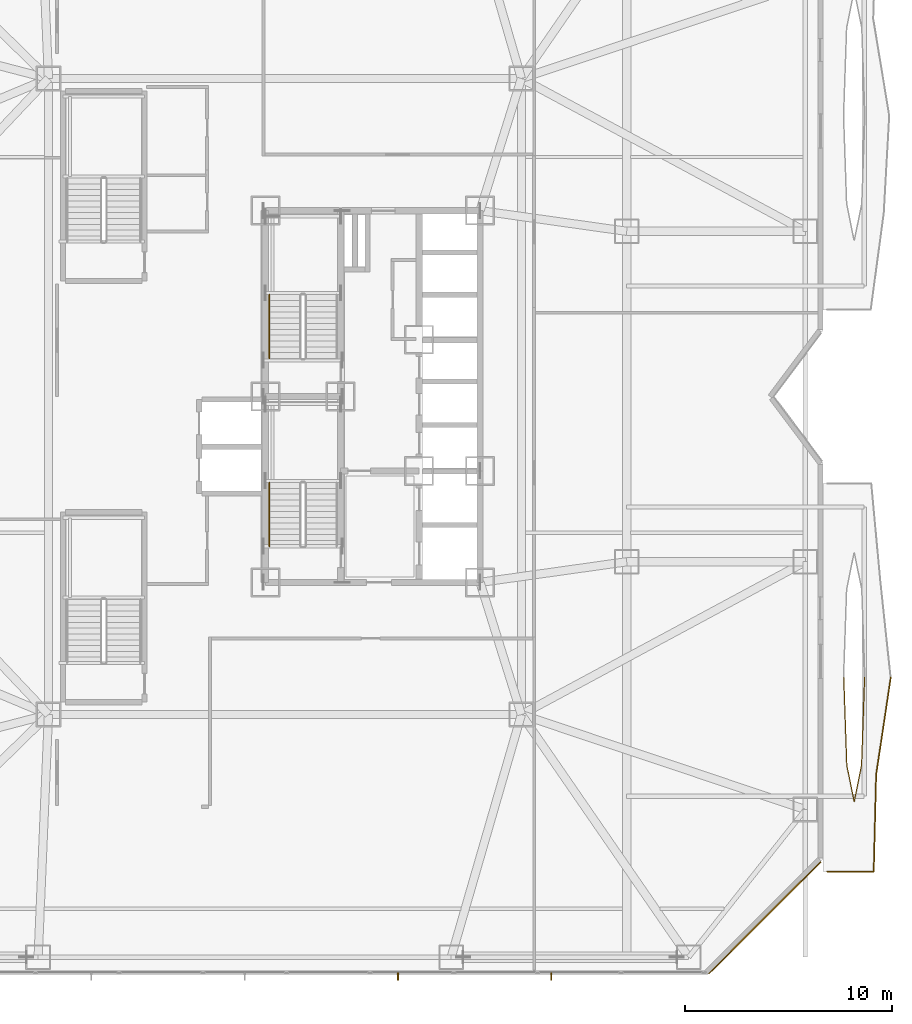
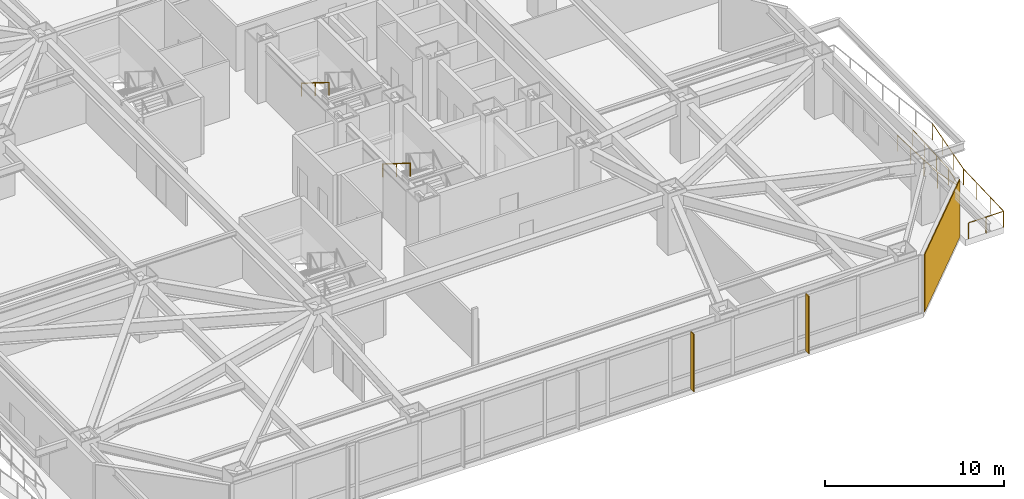
# One storey, part 28 of 32: 4 railings, 2 shading devices, 1 covering.
"""IFC4 building model written with IfcOpenShell, lengths in metres."""

from ifc_helpers import new_model, si_unit, direction, frame, origin, origin_2d, place, context, subcontext, project, spatial, rectangle, circle, extrude, material, layer, layer_set, type_object, element, save


model = new_model("IFC4")

# Units and contexts
model_context = context("Model", 3, precision=1e-05, world=origin(), true_north=direction((0.0, 1.0)))
body_context = subcontext(model_context, "Body", "Model", "MODEL_VIEW")
ifc_project = project(units=[si_unit("LENGTHUNIT", "METRE"), si_unit("AREAUNIT", "SQUARE_METRE"), si_unit("VOLUMEUNIT", "CUBIC_METRE"), si_unit("PLANEANGLEUNIT", "RADIAN"), si_unit("MASSUNIT", "GRAM", prefix="KILO")], contexts=[model_context])

# Site, building, storey
site_placement = place(None, origin())
site = spatial("IfcSite", under=ifc_project, at=site_placement, CompositionType="ELEMENT")
building_placement = place(site_placement, origin())
building = spatial("IfcBuilding", under=site, at=building_placement, Name="Khamvora Tower", CompositionType="ELEMENT")
storey_placement = place(building_placement, frame((0.0, 0.0, 12.0)))
storey = spatial("IfcBuildingStorey", under=building, at=storey_placement, Name="L02", CompositionType="ELEMENT", Elevation=12.0)

# Covering
ifc_material_1 = material(Name="Anodised Bronze Aluminium Spandrel Panel", Category="aluminium")
ifc_layer = layer(ifc_material_1, 0.054931640625)
ifc_layer_set = layer_set([ifc_layer], Name="Anodised Bronze Aluminium Spandrel Panel")
covering_type = type_object("IfcCoveringType", Name="COV-CLD-BRZ", PredefinedType="CLADDING", material=ifc_layer_set)
covering_placement = place(storey_placement, frame((53.18603515625, 2.760009765625, 0.0), z_axis=(0.0, 0.0, 1.0), x_axis=(-0.707106781187, -0.707106781187, 0.0)))
element("IfcCovering", 1, at=covering_placement, inside=storey, type_object=covering_type, Name="L02 chamfer rainscreen cladding 13.1", PredefinedType="CLADDING", context=body_context, shape_type="SweptSolid", body=[
    extrude(rectangle(XDim=7.64404296875, YDim=0.054931640625, at=origin_2d()), origin(), (0.0, 0.0, 1.0), 3.919921875),
])

# Railings
ifc_material_2 = material(Name="Stainless Steel 316 and Laminated Glass", Category="steel")
railing_type_1 = type_object("IfcRailingType", Name="RAL-GAL-1120", PredefinedType="GUARDRAIL", material=ifc_material_2)
railing_1_placement = place(storey_placement, frame((56.199951171875, 5.0, 0.0)))
element("IfcRailing", 2, at=railing_1_placement, inside=storey, type_object=railing_type_1, Name="L02 lens gallery south perimeter guardrail EL1", PredefinedType="GUARDRAIL", context=body_context, shape_type="SweptSolid", body=[
    extrude(circle(Radius=0.02392578125, at=origin_2d()), frame((0.0, 0.0, 1.09619140625), z_axis=(1.0, 0.0, 0.0), x_axis=(0.0, 1.0, 0.0)), (0.0, 0.0, 1.0), 2.262939453125),
    extrude(circle(Radius=0.02392578125, at=origin_2d()), frame((2.262939453125, 0.0, 1.09619140625), z_axis=(0.025133608896, 0.999684100956, 0.0), x_axis=(-0.999684100956, 0.025133608896, 0.0)), (0.0, 0.0, 1.0), 4.701416015625),
    extrude(circle(Radius=0.02392578125, at=origin_2d()), frame((2.381103515625, 4.699951171875, 1.09619140625), z_axis=(0.148759918885, 0.988873342008, 0.0), x_axis=(-0.988873342008, 0.148759918885, 0.0)), (0.0, 0.0, 1.0), 4.7529296875),
    extrude(circle(Radius=0.02099609375, at=origin_2d()), origin(), (0.0, 0.0, 1.0), 1.072021484375),
    extrude(circle(Radius=0.02099609375, at=origin_2d()), frame((1.13134765625, 0.0, 0.0)), (0.0, 0.0, 1.0), 1.072021484375),
    extrude(circle(Radius=0.02099609375, at=origin_2d()), frame((2.262939453125, 0.0, 0.0)), (0.0, 0.0, 1.0), 1.072021484375),
    extrude(circle(Radius=0.02099609375, at=origin_2d()), frame((2.30224609375, 1.566650390625, 0.0)), (0.0, 0.0, 1.0), 1.072021484375),
    extrude(circle(Radius=0.02099609375, at=origin_2d()), frame((2.341796875, 3.13330078125, 0.0)), (0.0, 0.0, 1.0), 1.072021484375),
    extrude(circle(Radius=0.02099609375, at=origin_2d()), frame((2.381103515625, 4.699951171875, 0.0)), (0.0, 0.0, 1.0), 1.072021484375),
    extrude(circle(Radius=0.02099609375, at=origin_2d()), frame((2.61669921875, 6.2666015625, 0.0)), (0.0, 0.0, 1.0), 1.072021484375),
    extrude(circle(Radius=0.02099609375, at=origin_2d()), frame((2.8525390625, 7.833251953125, 0.0)), (0.0, 0.0, 1.0), 1.072021484375),
    extrude(circle(Radius=0.02099609375, at=origin_2d()), frame((3.088134765625, 9.39990234375, 0.0)), (0.0, 0.0, 1.0), 1.072021484375),
])
railing_2_placement = place(storey_placement, frame((57.010986328125, 14.39990234375, 0.0)))
element("IfcRailing", 3, at=railing_2_placement, inside=storey, type_object=railing_type_1, Name="L02 lens gallery void guardrail EL1B", PredefinedType="GUARDRAIL", context=body_context, shape_type="SweptSolid", body=[
    extrude(circle(Radius=0.02392578125, at=origin_2d()), frame((0.0, 0.0, 1.09619140625), z_axis=(0.034758598303, -0.999395737355, 0.0), x_axis=(0.999395737355, 0.034758598303, 0.0)), (0.0, 0.0, 1.0), 4.256591796875),
    extrude(circle(Radius=0.02392578125, at=origin_2d()), frame((0.14794921875, -4.25390625, 1.09619140625), z_axis=(0.198022438185, -0.980197487232, 0.0), x_axis=(0.980197487232, 0.198022438185, 0.0)), (0.0, 0.0, 1.0), 1.797607421875),
    extrude(circle(Radius=0.02392578125, at=origin_2d()), frame((0.50390625, -6.015869140625, 1.09619140625), z_axis=(0.198152924969, 0.98017111686, 0.0), x_axis=(-0.98017111686, 0.198152924969, 0.0)), (0.0, 0.0, 1.0), 1.797607421875),
    extrude(circle(Radius=0.02392578125, at=origin_2d()), frame((0.860107421875, -4.25390625, 1.09619140625), z_axis=(0.034758598303, 0.999395737355, 0.0), x_axis=(-0.999395737355, 0.034758598303, 0.0)), (0.0, 0.0, 1.0), 4.256591796875),
    extrude(circle(Radius=0.02099609375, at=origin_2d()), origin(), (0.0, 0.0, 1.0), 1.072021484375),
    extrude(circle(Radius=0.02099609375, at=origin_2d()), frame((0.04931640625, -1.41796875, 0.0)), (0.0, 0.0, 1.0), 1.072021484375),
    extrude(circle(Radius=0.02099609375, at=origin_2d()), frame((0.0986328125, -2.8359375, 0.0)), (0.0, 0.0, 1.0), 1.072021484375),
    extrude(circle(Radius=0.02099609375, at=origin_2d()), frame((0.14794921875, -4.25390625, 0.0)), (0.0, 0.0, 1.0), 1.072021484375),
    extrude(circle(Radius=0.02099609375, at=origin_2d()), frame((0.50390625, -6.015869140625, 0.0)), (0.0, 0.0, 1.0), 1.072021484375),
    extrude(circle(Radius=0.02099609375, at=origin_2d()), frame((0.860107421875, -4.25390625, 0.0)), (0.0, 0.0, 1.0), 1.072021484375),
    extrude(circle(Radius=0.02099609375, at=origin_2d()), frame((0.909423828125, -2.8359375, 0.0)), (0.0, 0.0, 1.0), 1.072021484375),
    extrude(circle(Radius=0.02099609375, at=origin_2d()), frame((0.958740234375, -1.41796875, 0.0)), (0.0, 0.0, 1.0), 1.072021484375),
    extrude(circle(Radius=0.02099609375, at=origin_2d()), frame((1.008056640625, 0.0, 0.0)), (0.0, 0.0, 1.0), 1.072021484375),
])
ifc_material_3 = material(Name="Brushed Stainless Steel 316", Category="steel")
railing_type_2 = type_object("IfcRailingType", Name="RAL-HDR-920", PredefinedType="HANDRAIL", material=ifc_material_3)
railing_3_placement = place(storey_placement, frame((29.199951171875, 23.830078125, 2.27490234375)))
element("IfcRailing", 4, at=railing_3_placement, inside=storey, type_object=railing_type_2, Name="L02 ST-01 stair handrail 2", PredefinedType="HANDRAIL", context=body_context, shape_type="SweptSolid", body=[
    extrude(circle(Radius=0.02392578125, at=origin_2d()), frame((0.0, 0.0, 0.8759765625), z_axis=(0.0, -0.847998304005, 0.529998940003), x_axis=(1.0, 0.0, 0.0)), (0.0, 0.0, 1.0), 3.632080078125),
    extrude(circle(Radius=0.02099609375, at=origin_2d()), origin(), (0.0, 0.0, 1.0), 0.851806640625),
    extrude(circle(Radius=0.02099609375, at=origin_2d()), frame((0.0, -1.5400390625, 0.96240234375)), (0.0, 0.0, 1.0), 0.851806640625),
    extrude(circle(Radius=0.02099609375, at=origin_2d()), frame((0.0, -3.080078125, 1.925048828125)), (0.0, 0.0, 1.0), 0.851806640625),
])
railing_4_placement = place(storey_placement, frame((29.199951171875, 32.929931640625, 2.27490234375)))
element("IfcRailing", 5, at=railing_4_placement, inside=storey, type_object=railing_type_2, Name="L02 ST-02 stair handrail 2", PredefinedType="HANDRAIL", context=body_context, shape_type="SweptSolid", body=[
    extrude(circle(Radius=0.02392578125, at=origin_2d()), frame((0.0, 0.0, 0.8759765625), z_axis=(0.0, -0.847979421464, 0.530029150871), x_axis=(1.0, 0.0, 0.0)), (0.0, 0.0, 1.0), 3.632080078125),
    extrude(circle(Radius=0.02099609375, at=origin_2d()), origin(), (0.0, 0.0, 1.0), 0.851806640625),
    extrude(circle(Radius=0.02099609375, at=origin_2d()), frame((0.0, -1.5400390625, 0.96240234375)), (0.0, 0.0, 1.0), 0.851806640625),
    extrude(circle(Radius=0.02099609375, at=origin_2d()), frame((0.0, -3.079833984375, 1.925048828125)), (0.0, 0.0, 1.0), 0.851806640625),
])

# Shading devices
ifc_material_4 = material(Name="Anodised Bronze Aluminium 6063-T6", Category="aluminium")
shading_device_type = type_object("IfcShadingDeviceType", Name="SHD-FIN-350", PredefinedType="USERDEFINED", material=ifc_material_4)
for number, where, z_axis, x_axis, name in (
    (6, (42.85009765625, -0.077880859375, 0.0), (0.0, 0.0, 1.0), (-1.0, 0.0, 0.0), "L02 anodised bronze solar fin 14.01"),
    (7, (35.425048828125, -0.077880859375, 0.0), (0.0, 0.0, 1.0), (-1.0, 0.0, 0.0), "L02 anodised bronze solar fin 14.02"),
):
    element("IfcShadingDevice", number, at=place(storey_placement, frame(where, z_axis=z_axis, x_axis=x_axis)), inside=storey, type_object=shading_device_type, Name=name, ObjectType="FIN", PredefinedType="USERDEFINED", context=body_context, shape_type="SweptSolid", body=[
        extrude(rectangle(XDim=0.054931640625, YDim=0.35009765625, at=origin_2d()), origin(), (0.0, 0.0, 1.0), 3.919921875),
    ])

save(model, "model.ifc")
